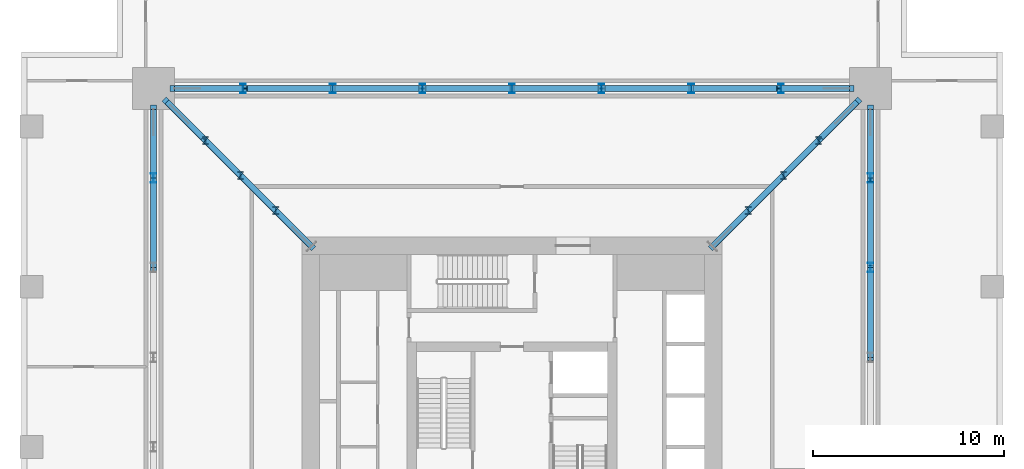
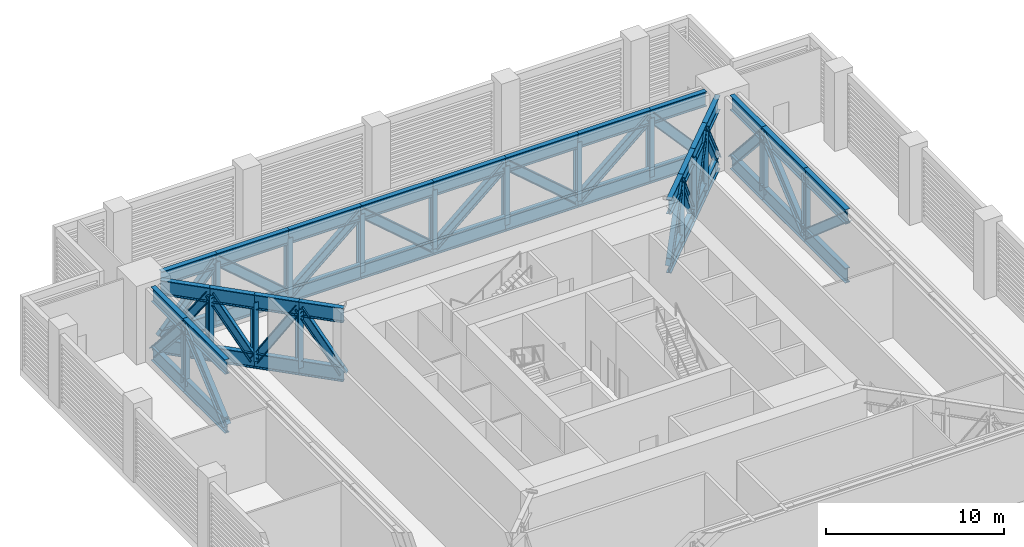
# One storey, part 4 of 16: 79 members.
"""IFC4 building model written with IfcOpenShell, lengths in metres."""

from ifc_helpers import new_model, si_unit, direction, frame, origin, origin_2d, place, context, subcontext, project, spatial, i_section, extrude, material, material_profile, profile_set, type_object, element, save


model = new_model("IFC4")

# Units and contexts
model_context = context("Model", 3, precision=1e-05, world=origin(), true_north=direction((0.0, 1.0)))
body_context = subcontext(model_context, "Body", "Model", "MODEL_VIEW")
ifc_project = project(units=[si_unit("LENGTHUNIT", "METRE"), si_unit("AREAUNIT", "SQUARE_METRE"), si_unit("VOLUMEUNIT", "CUBIC_METRE"), si_unit("PLANEANGLEUNIT", "RADIAN"), si_unit("MASSUNIT", "GRAM", prefix="KILO")], contexts=[model_context])

# Site, building, storey
site_placement = place(None, origin())
site = spatial("IfcSite", under=ifc_project, at=site_placement, CompositionType="ELEMENT")
building_placement = place(site_placement, origin())
building = spatial("IfcBuilding", under=site, at=building_placement, Name="Khepri Terraces", CompositionType="ELEMENT")
storey_placement = place(building_placement, frame((0.0, 0.0, 287.39990234375)))
storey = spatial("IfcBuildingStorey", under=building, at=storey_placement, Name="L69", CompositionType="ELEMENT", Elevation=287.39990234375)

# Members
ifc_material = material(Name="Steel S355", Category="steel")
ifc_material_profile_1 = material_profile(ifc_material, i_section(OverallWidth=0.302001953125, OverallDepth=1.008056640625, WebThickness=0.02099609375, FlangeThickness=0.0400390625, FilletRadius=0.030029296875, at=origin_2d()), Name="Steel S355", Category="steel")
ifc_profile_set_1 = profile_set([ifc_material_profile_1], Name="Steel S355")
member_type_1 = type_object("IfcMemberType", Name="Belt truss chord HEM 1000", PredefinedType="CHORD", material=ifc_profile_set_1)
for number, where, z_axis, x_axis, name in (
    (1, (18.800048828125, 4.699951171875, 0.504150390625), (0.0, 1.0, 0.0), (-1.0, 0.0, 0.0), "Belt truss chord BT-69-E bottom 6"),
    (2, (18.800048828125, 4.699951171875, 4.546142578125), (0.0, 1.0, 0.0), (-1.0, 0.0, 0.0), "Belt truss chord BT-69-E top 6"),
):
    element("IfcMember", number, at=place(storey_placement, frame(where, z_axis=z_axis, x_axis=x_axis)), inside=storey, type_object=member_type_1, Name=name, PredefinedType="CHORD", context=body_context, shape_type="SweptSolid", body=[
        extrude(i_section(OverallWidth=0.302001953125, OverallDepth=1.008056640625, WebThickness=0.02099609375, FlangeThickness=0.0400390625, FilletRadius=0.030029296875, at=origin_2d()), origin(), (0.0, 0.0, 1.0), 4.699951171875),
    ])
for number, where, z_axis, x_axis, name in (
    (3, (18.800048828125, 9.39990234375, 0.504150390625), (0.0, 1.0, 0.0), (-1.0, 0.0, 0.0), "Belt truss chord BT-69-E bottom 7"),
    (4, (18.800048828125, 9.39990234375, 4.546142578125), (0.0, 1.0, 0.0), (-1.0, 0.0, 0.0), "Belt truss chord BT-69-E top 7"),
):
    element("IfcMember", number, at=place(storey_placement, frame(where, z_axis=z_axis, x_axis=x_axis)), inside=storey, type_object=member_type_1, Name=name, PredefinedType="CHORD", context=body_context, shape_type="SweptSolid", body=[
        extrude(i_section(OverallWidth=0.302001953125, OverallDepth=1.008056640625, WebThickness=0.02099609375, FlangeThickness=0.0400390625, FilletRadius=0.030029296875, at=origin_2d()), origin(), (0.0, 0.0, 1.0), 4.7001953125),
    ])
for number, where, z_axis, x_axis, name in (
    (5, (18.800048828125, 14.10009765625, 0.504150390625), (0.0, 1.0, 0.0), (-1.0, 0.0, 0.0), "Belt truss chord BT-69-E bottom 8"),
    (6, (18.800048828125, 14.10009765625, 4.546142578125), (0.0, 1.0, 0.0), (-1.0, 0.0, 0.0), "Belt truss chord BT-69-E top 8"),
    (7, (17.699951171875, 18.800048828125, 0.504150390625), (-1.0, 0.0, 0.0), (0.0, -1.0, 0.0), "Belt truss chord BT-69-N bottom 1"),
    (8, (17.699951171875, 18.800048828125, 4.546142578125), (-1.0, 0.0, 0.0), (0.0, -1.0, 0.0), "Belt truss chord BT-69-N top 1"),
):
    element("IfcMember", number, at=place(storey_placement, frame(where, z_axis=z_axis, x_axis=x_axis)), inside=storey, type_object=member_type_1, Name=name, PredefinedType="CHORD", context=body_context, shape_type="SweptSolid", body=[
        extrude(i_section(OverallWidth=0.302001953125, OverallDepth=1.008056640625, WebThickness=0.02099609375, FlangeThickness=0.0400390625, FilletRadius=0.030029296875, at=origin_2d()), origin(), (0.0, 0.0, 1.0), 3.599853515625),
    ])
for number, where, z_axis, x_axis, name in (
    (9, (14.10009765625, 18.800048828125, 0.504150390625), (-1.0, 0.0, 0.0), (0.0, -1.0, 0.0), "Belt truss chord BT-69-N bottom 2"),
    (10, (14.10009765625, 18.800048828125, 4.546142578125), (-1.0, 0.0, 0.0), (0.0, -1.0, 0.0), "Belt truss chord BT-69-N top 2"),
):
    element("IfcMember", number, at=place(storey_placement, frame(where, z_axis=z_axis, x_axis=x_axis)), inside=storey, type_object=member_type_1, Name=name, PredefinedType="CHORD", context=body_context, shape_type="SweptSolid", body=[
        extrude(i_section(OverallWidth=0.302001953125, OverallDepth=1.008056640625, WebThickness=0.02099609375, FlangeThickness=0.0400390625, FilletRadius=0.030029296875, at=origin_2d()), origin(), (0.0, 0.0, 1.0), 4.7001953125),
    ])
for number, where, z_axis, x_axis, name in (
    (11, (9.39990234375, 18.800048828125, 0.504150390625), (-1.0, 0.0, 0.0), (0.0, -1.0, 0.0), "Belt truss chord BT-69-N bottom 3"),
    (12, (9.39990234375, 18.800048828125, 4.546142578125), (-1.0, 0.0, 0.0), (0.0, -1.0, 0.0), "Belt truss chord BT-69-N top 3"),
    (13, (4.699951171875, 18.800048828125, 0.504150390625), (-1.0, 0.0, 0.0), (0.0, -1.0, 0.0), "Belt truss chord BT-69-N bottom 4"),
    (14, (4.699951171875, 18.800048828125, 4.546142578125), (-1.0, 0.0, 0.0), (0.0, -1.0, 0.0), "Belt truss chord BT-69-N top 4"),
    (15, (0.0, 18.800048828125, 0.504150390625), (-1.0, 0.0, 0.0), (0.0, -1.0, 0.0), "Belt truss chord BT-69-N bottom 5"),
    (16, (0.0, 18.800048828125, 4.546142578125), (-1.0, 0.0, 0.0), (0.0, -1.0, 0.0), "Belt truss chord BT-69-N top 5"),
    (17, (-4.699951171875, 18.800048828125, 0.504150390625), (-1.0, 0.0, 0.0), (0.0, -1.0, 0.0), "Belt truss chord BT-69-N bottom 6"),
    (18, (-4.699951171875, 18.800048828125, 4.546142578125), (-1.0, 0.0, 0.0), (0.0, -1.0, 0.0), "Belt truss chord BT-69-N top 6"),
):
    element("IfcMember", number, at=place(storey_placement, frame(where, z_axis=z_axis, x_axis=x_axis)), inside=storey, type_object=member_type_1, Name=name, PredefinedType="CHORD", context=body_context, shape_type="SweptSolid", body=[
        extrude(i_section(OverallWidth=0.302001953125, OverallDepth=1.008056640625, WebThickness=0.02099609375, FlangeThickness=0.0400390625, FilletRadius=0.030029296875, at=origin_2d()), origin(), (0.0, 0.0, 1.0), 4.699951171875),
    ])
for number, where, z_axis, x_axis, name in (
    (19, (-9.39990234375, 18.800048828125, 0.504150390625), (-1.0, 0.0, 0.0), (0.0, -1.0, 0.0), "Belt truss chord BT-69-N bottom 7"),
    (20, (-9.39990234375, 18.800048828125, 4.546142578125), (-1.0, 0.0, 0.0), (0.0, -1.0, 0.0), "Belt truss chord BT-69-N top 7"),
):
    element("IfcMember", number, at=place(storey_placement, frame(where, z_axis=z_axis, x_axis=x_axis)), inside=storey, type_object=member_type_1, Name=name, PredefinedType="CHORD", context=body_context, shape_type="SweptSolid", body=[
        extrude(i_section(OverallWidth=0.302001953125, OverallDepth=1.008056640625, WebThickness=0.02099609375, FlangeThickness=0.0400390625, FilletRadius=0.030029296875, at=origin_2d()), origin(), (0.0, 0.0, 1.0), 4.7001953125),
    ])
for number, where, z_axis, x_axis, name in (
    (21, (-14.10009765625, 18.800048828125, 0.504150390625), (-1.0, 0.0, 0.0), (0.0, -1.0, 0.0), "Belt truss chord BT-69-N bottom 8"),
    (22, (-14.10009765625, 18.800048828125, 4.546142578125), (-1.0, 0.0, 0.0), (0.0, -1.0, 0.0), "Belt truss chord BT-69-N top 8"),
    (23, (-18.800048828125, 17.699951171875, 0.504150390625), (0.0, -1.0, 0.0), (1.0, 0.0, 0.0), "Belt truss chord BT-69-W bottom 1"),
    (24, (-18.800048828125, 17.699951171875, 4.546142578125), (0.0, -1.0, 0.0), (1.0, 0.0, 0.0), "Belt truss chord BT-69-W top 1"),
):
    element("IfcMember", number, at=place(storey_placement, frame(where, z_axis=z_axis, x_axis=x_axis)), inside=storey, type_object=member_type_1, Name=name, PredefinedType="CHORD", context=body_context, shape_type="SweptSolid", body=[
        extrude(i_section(OverallWidth=0.302001953125, OverallDepth=1.008056640625, WebThickness=0.02099609375, FlangeThickness=0.0400390625, FilletRadius=0.030029296875, at=origin_2d()), origin(), (0.0, 0.0, 1.0), 3.599853515625),
    ])
for number, where, z_axis, x_axis, name in (
    (25, (-18.800048828125, 14.10009765625, 0.504150390625), (0.0, -1.0, 0.0), (1.0, 0.0, 0.0), "Belt truss chord BT-69-W bottom 2"),
    (26, (-18.800048828125, 14.10009765625, 4.546142578125), (0.0, -1.0, 0.0), (1.0, 0.0, 0.0), "Belt truss chord BT-69-W top 2"),
):
    element("IfcMember", number, at=place(storey_placement, frame(where, z_axis=z_axis, x_axis=x_axis)), inside=storey, type_object=member_type_1, Name=name, PredefinedType="CHORD", context=body_context, shape_type="SweptSolid", body=[
        extrude(i_section(OverallWidth=0.302001953125, OverallDepth=1.008056640625, WebThickness=0.02099609375, FlangeThickness=0.0400390625, FilletRadius=0.030029296875, at=origin_2d()), origin(), (0.0, 0.0, 1.0), 4.7001953125),
    ])
ifc_material_profile_2 = material_profile(ifc_material, i_section(OverallWidth=0.304931640625, OverallDepth=0.6201171875, WebThickness=0.02099609375, FlangeThickness=0.0400390625, FilletRadius=0.027099609375, at=origin_2d()), Name="Steel S355", Category="steel")
ifc_profile_set_2 = profile_set([ifc_material_profile_2], Name="Steel S355")
member_type_2 = type_object("IfcMemberType", Name="Belt truss diagonal HEM 600", PredefinedType="BRACE", material=ifc_profile_set_2)
member_1_placement = place(storey_placement, frame((18.800048828125, 4.699951171875, 4.546142578125), z_axis=(0.0, 0.758182470483, -0.652042438383), x_axis=(-1.0, 0.0, 0.0)))
element("IfcMember", 27, at=member_1_placement, inside=storey, type_object=member_type_2, Name="Belt truss diagonal BT-69-E 6", PredefinedType="BRACE", context=body_context, shape_type="SweptSolid", body=[
    extrude(i_section(OverallWidth=0.304931640625, OverallDepth=0.6201171875, WebThickness=0.02099609375, FlangeThickness=0.0400390625, FilletRadius=0.027099609375, at=origin_2d()), origin(), (0.0, 0.0, 1.0), 6.198974609375),
])
member_2_placement = place(storey_placement, frame((18.800048828125, 9.39990234375, 0.504150390625), z_axis=(0.0, 0.758199214232, 0.652022968566), x_axis=(-1.0, 0.0, 0.0)))
element("IfcMember", 28, at=member_2_placement, inside=storey, type_object=member_type_2, Name="Belt truss diagonal BT-69-E 7", PredefinedType="BRACE", context=body_context, shape_type="SweptSolid", body=[
    extrude(i_section(OverallWidth=0.304931640625, OverallDepth=0.6201171875, WebThickness=0.02099609375, FlangeThickness=0.0400390625, FilletRadius=0.027099609375, at=origin_2d()), origin(), (0.0, 0.0, 1.0), 6.19921875),
])
for number, where, z_axis, x_axis, name in (
    (29, (18.800048828125, 14.10009765625, 4.546142578125), (0.0, 0.665083044122, -0.746769405119), (-1.0, 0.0, 0.0), "Belt truss diagonal BT-69-E 8"),
    (30, (17.699951171875, 18.800048828125, 0.504150390625), (-0.665083044122, 0.0, 0.746769405119), (0.0, -1.0, 0.0), "Belt truss diagonal BT-69-N 1"),
):
    element("IfcMember", number, at=place(storey_placement, frame(where, z_axis=z_axis, x_axis=x_axis)), inside=storey, type_object=member_type_2, Name=name, PredefinedType="BRACE", context=body_context, shape_type="SweptSolid", body=[
        extrude(i_section(OverallWidth=0.304931640625, OverallDepth=0.6201171875, WebThickness=0.02099609375, FlangeThickness=0.0400390625, FilletRadius=0.027099609375, at=origin_2d()), origin(), (0.0, 0.0, 1.0), 5.41259765625),
    ])
member_3_placement = place(storey_placement, frame((14.10009765625, 18.800048828125, 4.546142578125), z_axis=(-0.758199214232, 0.0, -0.652022968566), x_axis=(0.0, -1.0, 0.0)))
element("IfcMember", 31, at=member_3_placement, inside=storey, type_object=member_type_2, Name="Belt truss diagonal BT-69-N 2", PredefinedType="BRACE", context=body_context, shape_type="SweptSolid", body=[
    extrude(i_section(OverallWidth=0.304931640625, OverallDepth=0.6201171875, WebThickness=0.02099609375, FlangeThickness=0.0400390625, FilletRadius=0.027099609375, at=origin_2d()), origin(), (0.0, 0.0, 1.0), 6.19921875),
])
for number, where, z_axis, x_axis, name in (
    (32, (9.39990234375, 18.800048828125, 0.504150390625), (-0.758182470483, 0.0, 0.652042438383), (0.0, -1.0, 0.0), "Belt truss diagonal BT-69-N 3"),
    (33, (4.699951171875, 18.800048828125, 4.546142578125), (-0.758182470483, 0.0, -0.652042438383), (0.0, -1.0, 0.0), "Belt truss diagonal BT-69-N 4"),
    (34, (0.0, 18.800048828125, 0.504150390625), (-0.758182470483, 0.0, 0.652042438383), (0.0, -1.0, 0.0), "Belt truss diagonal BT-69-N 5"),
    (35, (-4.699951171875, 18.800048828125, 4.546142578125), (-0.758182470483, 0.0, -0.652042438383), (0.0, -1.0, 0.0), "Belt truss diagonal BT-69-N 6"),
):
    element("IfcMember", number, at=place(storey_placement, frame(where, z_axis=z_axis, x_axis=x_axis)), inside=storey, type_object=member_type_2, Name=name, PredefinedType="BRACE", context=body_context, shape_type="SweptSolid", body=[
        extrude(i_section(OverallWidth=0.304931640625, OverallDepth=0.6201171875, WebThickness=0.02099609375, FlangeThickness=0.0400390625, FilletRadius=0.027099609375, at=origin_2d()), origin(), (0.0, 0.0, 1.0), 6.198974609375),
    ])
member_4_placement = place(storey_placement, frame((-9.39990234375, 18.800048828125, 0.504150390625), z_axis=(-0.758199214232, 0.0, 0.652022968566), x_axis=(0.0, -1.0, 0.0)))
element("IfcMember", 36, at=member_4_placement, inside=storey, type_object=member_type_2, Name="Belt truss diagonal BT-69-N 7", PredefinedType="BRACE", context=body_context, shape_type="SweptSolid", body=[
    extrude(i_section(OverallWidth=0.304931640625, OverallDepth=0.6201171875, WebThickness=0.02099609375, FlangeThickness=0.0400390625, FilletRadius=0.027099609375, at=origin_2d()), origin(), (0.0, 0.0, 1.0), 6.19921875),
])
for number, where, z_axis, x_axis, name in (
    (37, (-14.10009765625, 18.800048828125, 4.546142578125), (-0.665083044122, 0.0, -0.746769405119), (0.0, -1.0, 0.0), "Belt truss diagonal BT-69-N 8"),
    (38, (-18.800048828125, 17.699951171875, 0.504150390625), (0.0, -0.665083044122, 0.746769405119), (1.0, 0.0, 0.0), "Belt truss diagonal BT-69-W 1"),
):
    element("IfcMember", number, at=place(storey_placement, frame(where, z_axis=z_axis, x_axis=x_axis)), inside=storey, type_object=member_type_2, Name=name, PredefinedType="BRACE", context=body_context, shape_type="SweptSolid", body=[
        extrude(i_section(OverallWidth=0.304931640625, OverallDepth=0.6201171875, WebThickness=0.02099609375, FlangeThickness=0.0400390625, FilletRadius=0.027099609375, at=origin_2d()), origin(), (0.0, 0.0, 1.0), 5.41259765625),
    ])
member_5_placement = place(storey_placement, frame((-18.800048828125, 14.10009765625, 4.546142578125), z_axis=(0.0, -0.758199214232, -0.652022968566), x_axis=(1.0, 0.0, 0.0)))
element("IfcMember", 39, at=member_5_placement, inside=storey, type_object=member_type_2, Name="Belt truss diagonal BT-69-W 2", PredefinedType="BRACE", context=body_context, shape_type="SweptSolid", body=[
    extrude(i_section(OverallWidth=0.304931640625, OverallDepth=0.6201171875, WebThickness=0.02099609375, FlangeThickness=0.0400390625, FilletRadius=0.027099609375, at=origin_2d()), origin(), (0.0, 0.0, 1.0), 6.19921875),
])
ifc_material_profile_3 = material_profile(ifc_material, i_section(OverallWidth=0.300048828125, OverallDepth=0.5, WebThickness=0.014404296875, FlangeThickness=0.028076171875, FilletRadius=0.027099609375, at=origin_2d()), Name="Steel S355", Category="steel")
ifc_profile_set_3 = profile_set([ifc_material_profile_3], Name="Steel S355")
member_type_3 = type_object("IfcMemberType", Name="Belt truss post HEB 500", PredefinedType="POST", material=ifc_profile_set_3)
for number, where, z_axis, x_axis, name in (
    (40, (18.800048828125, 9.39990234375, 0.504150390625), (0.0, 0.0, 1.0), (1.0, 0.0, 0.0), "Belt truss post BT-69-E 6"),
    (41, (18.800048828125, 14.10009765625, 0.504150390625), (0.0, 0.0, 1.0), (1.0, 0.0, 0.0), "Belt truss post BT-69-E 7"),
    (42, (14.10009765625, 18.800048828125, 0.504150390625), (0.0, 0.0, 1.0), (1.0, 0.0, 0.0), "Belt truss post BT-69-N 1"),
    (43, (9.39990234375, 18.800048828125, 0.504150390625), (0.0, 0.0, 1.0), (1.0, 0.0, 0.0), "Belt truss post BT-69-N 2"),
    (44, (4.699951171875, 18.800048828125, 0.504150390625), (0.0, 0.0, 1.0), (1.0, 0.0, 0.0), "Belt truss post BT-69-N 3"),
    (45, (0.0, 18.800048828125, 0.504150390625), (0.0, 0.0, 1.0), (1.0, 0.0, 0.0), "Belt truss post BT-69-N 4"),
    (46, (-4.699951171875, 18.800048828125, 0.504150390625), (0.0, 0.0, 1.0), (1.0, 0.0, 0.0), "Belt truss post BT-69-N 5"),
    (47, (-9.39990234375, 18.800048828125, 0.504150390625), (0.0, 0.0, 1.0), (1.0, 0.0, 0.0), "Belt truss post BT-69-N 6"),
    (48, (-14.10009765625, 18.800048828125, 0.504150390625), (0.0, 0.0, 1.0), (1.0, 0.0, 0.0), "Belt truss post BT-69-N 7"),
    (49, (-18.800048828125, 14.10009765625, 0.504150390625), (0.0, 0.0, 1.0), (1.0, 0.0, 0.0), "Belt truss post BT-69-W 1"),
):
    element("IfcMember", number, at=place(storey_placement, frame(where, z_axis=z_axis, x_axis=x_axis)), inside=storey, type_object=member_type_3, Name=name, PredefinedType="POST", context=body_context, shape_type="SweptSolid", body=[
        extrude(i_section(OverallWidth=0.300048828125, OverallDepth=0.5, WebThickness=0.014404296875, FlangeThickness=0.028076171875, FilletRadius=0.027099609375, at=origin_2d()), origin(), (0.0, 0.0, 1.0), 4.0419921875),
    ])
ifc_material_profile_4 = material_profile(ifc_material, i_section(OverallWidth=0.302001953125, OverallDepth=1.008056640625, WebThickness=0.02099609375, FlangeThickness=0.0400390625, FilletRadius=0.030029296875, at=origin_2d()), Name="Steel S355", Category="steel")
ifc_profile_set_4 = profile_set([ifc_material_profile_4], Name="Steel S355")
member_type_4 = type_object("IfcMemberType", Name="Outrigger chord HEM 1000", PredefinedType="CHORD", material=ifc_profile_set_4)
for number, where, z_axis, x_axis, name in (
    (50, (10.550048828125, 10.550048828125, 0.504150390625), (0.707106781187, 0.707106781187, 0.0), (-0.707106781187, 0.707106781187, 0.0), "Outrigger chord OT-69-EN bottom 1"),
    (51, (10.550048828125, 10.550048828125, 4.546142578125), (0.707106781187, 0.707106781187, 0.0), (-0.707106781187, 0.707106781187, 0.0), "Outrigger chord OT-69-EN top 1"),
):
    element("IfcMember", number, at=place(storey_placement, frame(where, z_axis=z_axis, x_axis=x_axis)), inside=storey, type_object=member_type_4, Name=name, PredefinedType="CHORD", context=body_context, shape_type="SweptSolid", body=[
        extrude(i_section(OverallWidth=0.302001953125, OverallDepth=1.008056640625, WebThickness=0.02099609375, FlangeThickness=0.0400390625, FilletRadius=0.030029296875, at=origin_2d()), origin(), (0.0, 0.0, 1.0), 2.6025390625),
    ])
for number, where, z_axis, x_axis, name in (
    (52, (12.390380859375, 12.390380859375, 0.504150390625), (0.707106781187, 0.707106781187, 0.0), (-0.707106781187, 0.707106781187, 0.0), "Outrigger chord OT-69-EN bottom 2"),
    (53, (12.390380859375, 12.390380859375, 4.546142578125), (0.707106781187, 0.707106781187, 0.0), (-0.707106781187, 0.707106781187, 0.0), "Outrigger chord OT-69-EN top 2"),
):
    element("IfcMember", number, at=place(storey_placement, frame(where, z_axis=z_axis, x_axis=x_axis)), inside=storey, type_object=member_type_4, Name=name, PredefinedType="CHORD", context=body_context, shape_type="SweptSolid", body=[
        extrude(i_section(OverallWidth=0.302001953125, OverallDepth=1.008056640625, WebThickness=0.02099609375, FlangeThickness=0.0400390625, FilletRadius=0.030029296875, at=origin_2d()), origin(), (0.0, 0.0, 1.0), 2.603271484375),
    ])
for number, where, z_axis, x_axis, name in (
    (54, (14.231201171875, 14.231201171875, 0.504150390625), (0.707106781187, 0.707106781187, 0.0), (-0.707106781187, 0.707106781187, 0.0), "Outrigger chord OT-69-EN bottom 3"),
    (55, (14.231201171875, 14.231201171875, 4.546142578125), (0.707106781187, 0.707106781187, 0.0), (-0.707106781187, 0.707106781187, 0.0), "Outrigger chord OT-69-EN top 3"),
):
    element("IfcMember", number, at=place(storey_placement, frame(where, z_axis=z_axis, x_axis=x_axis)), inside=storey, type_object=member_type_4, Name=name, PredefinedType="CHORD", context=body_context, shape_type="SweptSolid", body=[
        extrude(i_section(OverallWidth=0.302001953125, OverallDepth=1.008056640625, WebThickness=0.02099609375, FlangeThickness=0.0400390625, FilletRadius=0.030029296875, at=origin_2d()), origin(), (0.0, 0.0, 1.0), 2.6025390625),
    ])
for number, where, z_axis, x_axis, name in (
    (56, (16.071533203125, 16.071533203125, 0.504150390625), (0.707106781187, 0.707106781187, 0.0), (-0.707106781187, 0.707106781187, 0.0), "Outrigger chord OT-69-EN bottom 4"),
    (57, (16.071533203125, 16.071533203125, 4.546142578125), (0.707106781187, 0.707106781187, 0.0), (-0.707106781187, 0.707106781187, 0.0), "Outrigger chord OT-69-EN top 4"),
):
    element("IfcMember", number, at=place(storey_placement, frame(where, z_axis=z_axis, x_axis=x_axis)), inside=storey, type_object=member_type_4, Name=name, PredefinedType="CHORD", context=body_context, shape_type="SweptSolid", body=[
        extrude(i_section(OverallWidth=0.302001953125, OverallDepth=1.008056640625, WebThickness=0.02099609375, FlangeThickness=0.0400390625, FilletRadius=0.030029296875, at=origin_2d()), origin(), (0.0, 0.0, 1.0), 2.85888671875),
    ])
for number, where, z_axis, x_axis, name in (
    (58, (-10.550048828125, 10.550048828125, 0.504150390625), (-0.707106781187, 0.707106781187, 0.0), (-0.707106781187, -0.707106781187, 0.0), "Outrigger chord OT-69-WN bottom 1"),
    (59, (-10.550048828125, 10.550048828125, 4.546142578125), (-0.707106781187, 0.707106781187, 0.0), (-0.707106781187, -0.707106781187, 0.0), "Outrigger chord OT-69-WN top 1"),
):
    element("IfcMember", number, at=place(storey_placement, frame(where, z_axis=z_axis, x_axis=x_axis)), inside=storey, type_object=member_type_4, Name=name, PredefinedType="CHORD", context=body_context, shape_type="SweptSolid", body=[
        extrude(i_section(OverallWidth=0.302001953125, OverallDepth=1.008056640625, WebThickness=0.02099609375, FlangeThickness=0.0400390625, FilletRadius=0.030029296875, at=origin_2d()), origin(), (0.0, 0.0, 1.0), 2.6025390625),
    ])
for number, where, z_axis, x_axis, name in (
    (60, (-12.390380859375, 12.390380859375, 0.504150390625), (-0.707106781187, 0.707106781187, 0.0), (-0.707106781187, -0.707106781187, 0.0), "Outrigger chord OT-69-WN bottom 2"),
    (61, (-12.390380859375, 12.390380859375, 4.546142578125), (-0.707106781187, 0.707106781187, 0.0), (-0.707106781187, -0.707106781187, 0.0), "Outrigger chord OT-69-WN top 2"),
):
    element("IfcMember", number, at=place(storey_placement, frame(where, z_axis=z_axis, x_axis=x_axis)), inside=storey, type_object=member_type_4, Name=name, PredefinedType="CHORD", context=body_context, shape_type="SweptSolid", body=[
        extrude(i_section(OverallWidth=0.302001953125, OverallDepth=1.008056640625, WebThickness=0.02099609375, FlangeThickness=0.0400390625, FilletRadius=0.030029296875, at=origin_2d()), origin(), (0.0, 0.0, 1.0), 2.603271484375),
    ])
for number, where, z_axis, x_axis, name in (
    (62, (-14.231201171875, 14.231201171875, 0.504150390625), (-0.707106781187, 0.707106781187, 0.0), (-0.707106781187, -0.707106781187, 0.0), "Outrigger chord OT-69-WN bottom 3"),
    (63, (-14.231201171875, 14.231201171875, 4.546142578125), (-0.707106781187, 0.707106781187, 0.0), (-0.707106781187, -0.707106781187, 0.0), "Outrigger chord OT-69-WN top 3"),
):
    element("IfcMember", number, at=place(storey_placement, frame(where, z_axis=z_axis, x_axis=x_axis)), inside=storey, type_object=member_type_4, Name=name, PredefinedType="CHORD", context=body_context, shape_type="SweptSolid", body=[
        extrude(i_section(OverallWidth=0.302001953125, OverallDepth=1.008056640625, WebThickness=0.02099609375, FlangeThickness=0.0400390625, FilletRadius=0.030029296875, at=origin_2d()), origin(), (0.0, 0.0, 1.0), 2.6025390625),
    ])
for number, where, z_axis, x_axis, name in (
    (64, (-16.071533203125, 16.071533203125, 0.504150390625), (-0.707106781187, 0.707106781187, 0.0), (-0.707106781187, -0.707106781187, 0.0), "Outrigger chord OT-69-WN bottom 4"),
    (65, (-16.071533203125, 16.071533203125, 4.546142578125), (-0.707106781187, 0.707106781187, 0.0), (-0.707106781187, -0.707106781187, 0.0), "Outrigger chord OT-69-WN top 4"),
):
    element("IfcMember", number, at=place(storey_placement, frame(where, z_axis=z_axis, x_axis=x_axis)), inside=storey, type_object=member_type_4, Name=name, PredefinedType="CHORD", context=body_context, shape_type="SweptSolid", body=[
        extrude(i_section(OverallWidth=0.302001953125, OverallDepth=1.008056640625, WebThickness=0.02099609375, FlangeThickness=0.0400390625, FilletRadius=0.030029296875, at=origin_2d()), origin(), (0.0, 0.0, 1.0), 2.85888671875),
    ])
ifc_material_profile_5 = material_profile(ifc_material, i_section(OverallWidth=0.305908203125, OverallDepth=0.52392578125, WebThickness=0.02099609375, FlangeThickness=0.0400390625, FilletRadius=0.027099609375, at=origin_2d()), Name="Steel S355", Category="steel")
ifc_profile_set_5 = profile_set([ifc_material_profile_5], Name="Steel S355")
member_type_5 = type_object("IfcMemberType", Name="Outrigger diagonal HEM 500", PredefinedType="BRACE", material=ifc_profile_set_5)
member_6_placement = place(storey_placement, frame((10.550048828125, 10.550048828125, 0.504150390625), z_axis=(0.382810266556, 0.382810266556, 0.840780946286), x_axis=(-0.707106781187, 0.707106781187, 0.0)))
element("IfcMember", 66, at=member_6_placement, inside=storey, type_object=member_type_5, Name="Outrigger diagonal OT-69-EN 1", PredefinedType="BRACE", context=body_context, shape_type="SweptSolid", body=[
    extrude(i_section(OverallWidth=0.305908203125, OverallDepth=0.52392578125, WebThickness=0.02099609375, FlangeThickness=0.0400390625, FilletRadius=0.027099609375, at=origin_2d()), origin(), (0.0, 0.0, 1.0), 4.807373046875),
])
member_7_placement = place(storey_placement, frame((12.390380859375, 12.390380859375, 4.546142578125), z_axis=(0.38288205797, 0.38288205797, -0.840715563892), x_axis=(-0.707106781187, 0.707106781187, 0.0)))
element("IfcMember", 67, at=member_7_placement, inside=storey, type_object=member_type_5, Name="Outrigger diagonal OT-69-EN 2", PredefinedType="BRACE", context=body_context, shape_type="SweptSolid", body=[
    extrude(i_section(OverallWidth=0.305908203125, OverallDepth=0.52392578125, WebThickness=0.02099609375, FlangeThickness=0.0400390625, FilletRadius=0.027099609375, at=origin_2d()), origin(), (0.0, 0.0, 1.0), 4.807861328125),
])
member_8_placement = place(storey_placement, frame((14.231201171875, 14.231201171875, 0.504150390625), z_axis=(0.382810266556, 0.382810266556, 0.840780946286), x_axis=(-0.707106781187, 0.707106781187, 0.0)))
element("IfcMember", 68, at=member_8_placement, inside=storey, type_object=member_type_5, Name="Outrigger diagonal OT-69-EN 3", PredefinedType="BRACE", context=body_context, shape_type="SweptSolid", body=[
    extrude(i_section(OverallWidth=0.305908203125, OverallDepth=0.52392578125, WebThickness=0.02099609375, FlangeThickness=0.0400390625, FilletRadius=0.027099609375, at=origin_2d()), origin(), (0.0, 0.0, 1.0), 4.807373046875),
])
member_9_placement = place(storey_placement, frame((16.071533203125, 16.071533203125, 4.546142578125), z_axis=(0.408314038869, 0.408314038869, -0.81643082458), x_axis=(-0.707106781187, 0.707106781187, 0.0)))
element("IfcMember", 69, at=member_9_placement, inside=storey, type_object=member_type_5, Name="Outrigger diagonal OT-69-EN 4", PredefinedType="BRACE", context=body_context, shape_type="SweptSolid", body=[
    extrude(i_section(OverallWidth=0.305908203125, OverallDepth=0.52392578125, WebThickness=0.02099609375, FlangeThickness=0.0400390625, FilletRadius=0.027099609375, at=origin_2d()), origin(), (0.0, 0.0, 1.0), 4.950927734375),
])
member_10_placement = place(storey_placement, frame((-10.550048828125, 10.550048828125, 0.504150390625), z_axis=(-0.382810266556, 0.382810266556, 0.840780946286), x_axis=(-0.707106781187, -0.707106781187, 0.0)))
element("IfcMember", 70, at=member_10_placement, inside=storey, type_object=member_type_5, Name="Outrigger diagonal OT-69-WN 1", PredefinedType="BRACE", context=body_context, shape_type="SweptSolid", body=[
    extrude(i_section(OverallWidth=0.305908203125, OverallDepth=0.52392578125, WebThickness=0.02099609375, FlangeThickness=0.0400390625, FilletRadius=0.027099609375, at=origin_2d()), origin(), (0.0, 0.0, 1.0), 4.807373046875),
])
member_11_placement = place(storey_placement, frame((-12.390380859375, 12.390380859375, 4.546142578125), z_axis=(-0.38288205797, 0.38288205797, -0.840715563892), x_axis=(-0.707106781187, -0.707106781187, 0.0)))
element("IfcMember", 71, at=member_11_placement, inside=storey, type_object=member_type_5, Name="Outrigger diagonal OT-69-WN 2", PredefinedType="BRACE", context=body_context, shape_type="SweptSolid", body=[
    extrude(i_section(OverallWidth=0.305908203125, OverallDepth=0.52392578125, WebThickness=0.02099609375, FlangeThickness=0.0400390625, FilletRadius=0.027099609375, at=origin_2d()), origin(), (0.0, 0.0, 1.0), 4.807861328125),
])
member_12_placement = place(storey_placement, frame((-14.231201171875, 14.231201171875, 0.504150390625), z_axis=(-0.382810266556, 0.382810266556, 0.840780946286), x_axis=(-0.707106781187, -0.707106781187, 0.0)))
element("IfcMember", 72, at=member_12_placement, inside=storey, type_object=member_type_5, Name="Outrigger diagonal OT-69-WN 3", PredefinedType="BRACE", context=body_context, shape_type="SweptSolid", body=[
    extrude(i_section(OverallWidth=0.305908203125, OverallDepth=0.52392578125, WebThickness=0.02099609375, FlangeThickness=0.0400390625, FilletRadius=0.027099609375, at=origin_2d()), origin(), (0.0, 0.0, 1.0), 4.807373046875),
])
member_13_placement = place(storey_placement, frame((-16.071533203125, 16.071533203125, 4.546142578125), z_axis=(-0.408314038869, 0.408314038869, -0.81643082458), x_axis=(-0.707106781187, -0.707106781187, 0.0)))
element("IfcMember", 73, at=member_13_placement, inside=storey, type_object=member_type_5, Name="Outrigger diagonal OT-69-WN 4", PredefinedType="BRACE", context=body_context, shape_type="SweptSolid", body=[
    extrude(i_section(OverallWidth=0.305908203125, OverallDepth=0.52392578125, WebThickness=0.02099609375, FlangeThickness=0.0400390625, FilletRadius=0.027099609375, at=origin_2d()), origin(), (0.0, 0.0, 1.0), 4.950927734375),
])
ifc_material_profile_6 = material_profile(ifc_material, i_section(OverallWidth=0.300048828125, OverallDepth=0.39990234375, WebThickness=0.013427734375, FlangeThickness=0.02392578125, FilletRadius=0.027099609375, at=origin_2d()), Name="Steel S355", Category="steel")
ifc_profile_set_6 = profile_set([ifc_material_profile_6], Name="Steel S355")
member_type_6 = type_object("IfcMemberType", Name="Outrigger post HEB 400", PredefinedType="POST", material=ifc_profile_set_6)
for number, where, z_axis, x_axis, name in (
    (74, (12.390380859375, 12.390380859375, 0.504150390625), (0.0, 0.0, 1.0), (1.0, 0.0, 0.0), "Outrigger post OT-69-EN 1"),
    (75, (14.231201171875, 14.231201171875, 0.504150390625), (0.0, 0.0, 1.0), (1.0, 0.0, 0.0), "Outrigger post OT-69-EN 2"),
    (76, (16.071533203125, 16.071533203125, 0.504150390625), (0.0, 0.0, 1.0), (1.0, 0.0, 0.0), "Outrigger post OT-69-EN 3"),
    (77, (-12.390380859375, 12.390380859375, 0.504150390625), (0.0, 0.0, 1.0), (1.0, 0.0, 0.0), "Outrigger post OT-69-WN 1"),
    (78, (-14.231201171875, 14.231201171875, 0.504150390625), (0.0, 0.0, 1.0), (1.0, 0.0, 0.0), "Outrigger post OT-69-WN 2"),
    (79, (-16.071533203125, 16.071533203125, 0.504150390625), (0.0, 0.0, 1.0), (1.0, 0.0, 0.0), "Outrigger post OT-69-WN 3"),
):
    element("IfcMember", number, at=place(storey_placement, frame(where, z_axis=z_axis, x_axis=x_axis)), inside=storey, type_object=member_type_6, Name=name, PredefinedType="POST", context=body_context, shape_type="SweptSolid", body=[
        extrude(i_section(OverallWidth=0.300048828125, OverallDepth=0.39990234375, WebThickness=0.013427734375, FlangeThickness=0.02392578125, FilletRadius=0.027099609375, at=origin_2d()), origin(), (0.0, 0.0, 1.0), 4.0419921875),
    ])

save(model, "model.ifc")
